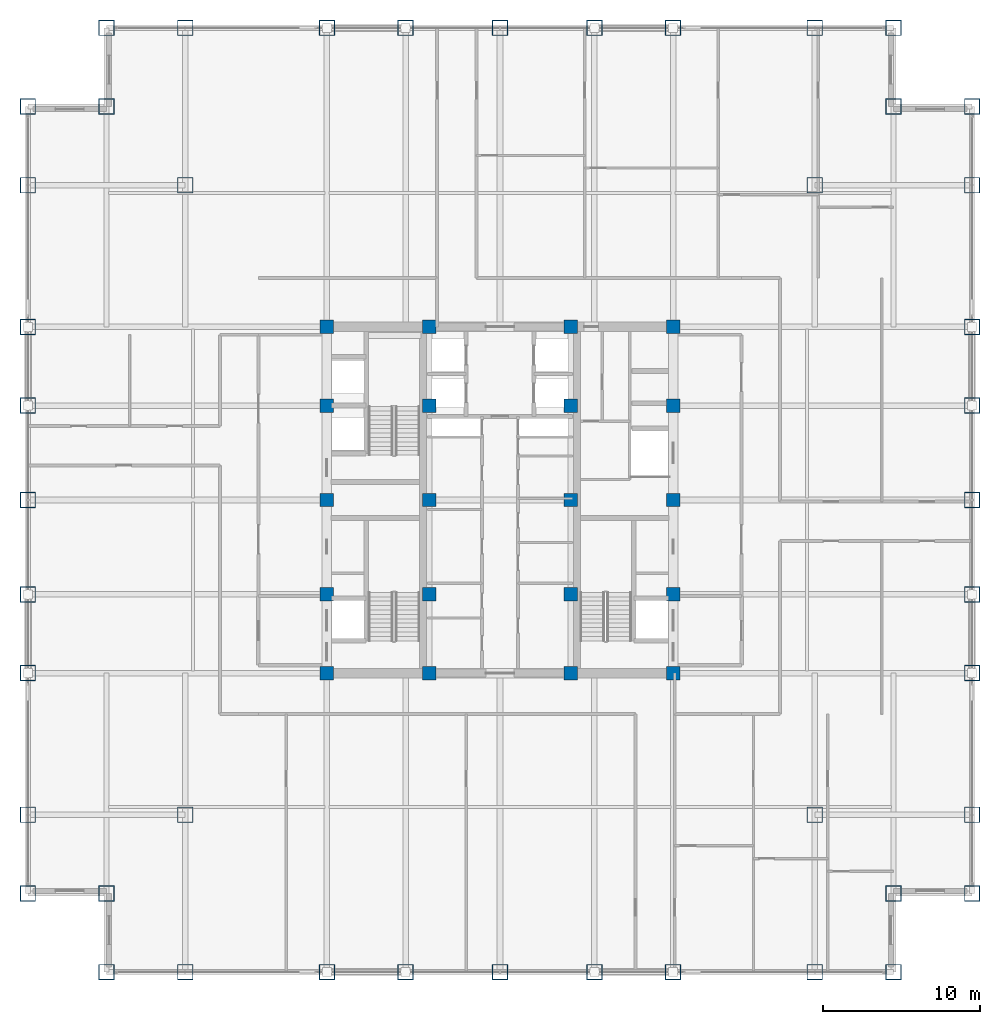
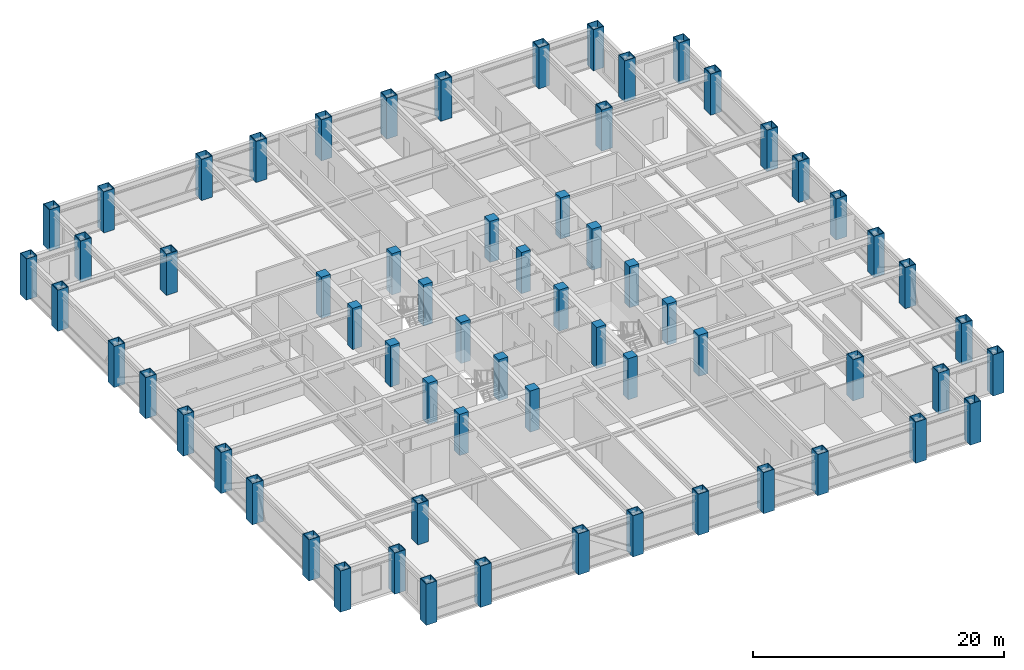
# One storey, part 1 of 25: 64 columns.
"""IFC4 building model written with IfcOpenShell, lengths in metres."""

from ifc_helpers import new_model, si_unit, direction, frame, origin, origin_2d, place, context, subcontext, project, spatial, rectangle, hollow_rectangle, extrude, source, transform, mapped, material, material_profile, profile_set, type_object, element, save


model = new_model("IFC4")

# Units and contexts
model_context = context("Model", 3, precision=1e-05, world=origin(), true_north=direction((0.0, 1.0)))
body_context = subcontext(model_context, "Body", "Model", "MODEL_VIEW")
ifc_project = project(units=[si_unit("LENGTHUNIT", "METRE"), si_unit("AREAUNIT", "SQUARE_METRE"), si_unit("VOLUMEUNIT", "CUBIC_METRE"), si_unit("PLANEANGLEUNIT", "RADIAN"), si_unit("MASSUNIT", "GRAM", prefix="KILO")], contexts=[model_context])

# Site, building, storey
site_placement = place(None, origin())
site = spatial("IfcSite", under=ifc_project, at=site_placement, CompositionType="ELEMENT")
building_placement = place(site_placement, origin())
building = spatial("IfcBuilding", under=site, at=building_placement, Name="Khorayat Bourse Tower", CompositionType="ELEMENT")
storey_placement = place(building_placement, frame((0.0, 0.0, 255.10009765625)))
storey = spatial("IfcBuildingStorey", under=building, at=storey_placement, Name="L60", CompositionType="ELEMENT", Elevation=255.10009765625)

# Columns
ifc_material_1 = material(Name="Concrete C60/75", Category="concrete")
ifc_material_profile_1 = material_profile(ifc_material_1, rectangle(XDim=0.85009765625, YDim=0.85009765625, at=origin_2d()), Name="RC 850x850")
ifc_profile_set_1 = profile_set([ifc_material_profile_1], Name="Concrete C60/75")
column_type_1 = type_object("IfcColumnType", Name="COL-CORE-850", PredefinedType="COLUMN", material=ifc_profile_set_1)
shared_shape_1 = source(origin(), body_context, "Body", "SweptSolid", [
    extrude(rectangle(XDim=0.85009765625, YDim=0.85009765625, at=origin_2d()), origin(), (0.0, 0.0, 1.0), 4.0),
])
for number, where, z_axis, x_axis, name in (
    (1, (-11.0, -11.0, 0.0), (0.0, 0.0, 1.0), (1.0, 0.0, 0.0), "L60 Column 019"),
    (2, (-11.0, -6.0, 0.0), (0.0, 0.0, 1.0), (1.0, 0.0, 0.0), "L60 Column 020"),
    (3, (-11.0, 0.0, 0.0), (0.0, 0.0, 1.0), (1.0, 0.0, 0.0), "L60 Column 021"),
    (4, (-11.0, 6.0, 0.0), (0.0, 0.0, 1.0), (1.0, 0.0, 0.0), "L60 Column 022"),
    (5, (-11.0, 11.0, 0.0), (0.0, 0.0, 1.0), (1.0, 0.0, 0.0), "L60 Column 023"),
    (6, (-4.5, -11.0, 0.0), (0.0, 0.0, 1.0), (1.0, 0.0, 0.0), "L60 Column 027"),
    (7, (-4.5, -6.0, 0.0), (0.0, 0.0, 1.0), (1.0, 0.0, 0.0), "L60 Column 028"),
    (8, (-4.5, 0.0, 0.0), (0.0, 0.0, 1.0), (1.0, 0.0, 0.0), "L60 Column 029"),
    (9, (-4.5, 6.0, 0.0), (0.0, 0.0, 1.0), (1.0, 0.0, 0.0), "L60 Column 030"),
    (10, (-4.5, 11.0, 0.0), (0.0, 0.0, 1.0), (1.0, 0.0, 0.0), "L60 Column 031"),
    (11, (4.5, -11.0, 0.0), (0.0, 0.0, 1.0), (1.0, 0.0, 0.0), "L60 Column 034"),
    (12, (4.5, -6.0, 0.0), (0.0, 0.0, 1.0), (1.0, 0.0, 0.0), "L60 Column 035"),
    (13, (4.5, 0.0, 0.0), (0.0, 0.0, 1.0), (1.0, 0.0, 0.0), "L60 Column 036"),
    (14, (4.5, 6.0, 0.0), (0.0, 0.0, 1.0), (1.0, 0.0, 0.0), "L60 Column 037"),
    (15, (4.5, 11.0, 0.0), (0.0, 0.0, 1.0), (1.0, 0.0, 0.0), "L60 Column 038"),
    (16, (11.0, -11.0, 0.0), (0.0, 0.0, 1.0), (1.0, 0.0, 0.0), "L60 Column 042"),
    (17, (11.0, -6.0, 0.0), (0.0, 0.0, 1.0), (1.0, 0.0, 0.0), "L60 Column 043"),
    (18, (11.0, 0.0, 0.0), (0.0, 0.0, 1.0), (1.0, 0.0, 0.0), "L60 Column 044"),
    (19, (11.0, 6.0, 0.0), (0.0, 0.0, 1.0), (1.0, 0.0, 0.0), "L60 Column 045"),
    (20, (11.0, 11.0, 0.0), (0.0, 0.0, 1.0), (1.0, 0.0, 0.0), "L60 Column 046"),
):
    element("IfcColumn", number, at=place(storey_placement, frame(where, z_axis=z_axis, x_axis=x_axis)), inside=storey, type_object=column_type_1, Name=name, PredefinedType="COLUMN", context=body_context, shape_type="MappedRepresentation", body=[
        mapped(shared_shape_1, transform((0.0, 0.0, 0.0), scale=1.0)),
    ])
ifc_material_2 = material(Name="Steel EN 10025-4 S460M", Category="steel")
ifc_material_profile_2 = material_profile(ifc_material_2, hollow_rectangle(XDim=1.0, YDim=1.0, WallThickness=0.054931640625, at=origin_2d()), Name="BOX 1000x1000x55")
ifc_profile_set_2 = profile_set([ifc_material_profile_2], Name="Steel EN 10025-4 S460M")
column_type_2 = type_object("IfcColumnType", Name="COL-TUBE-1000", PredefinedType="COLUMN", material=ifc_profile_set_2)
shared_shape_2 = source(origin(), body_context, "Body", "SweptSolid", [
    extrude(hollow_rectangle(XDim=1.0, YDim=1.0, WallThickness=0.054931640625, at=origin_2d()), origin(), (0.0, 0.0, 1.0), 4.0),
])
for number, where, z_axis, x_axis, name in (
    (21, (-30.0, -25.0, 0.0), (0.0, 0.0, 1.0), (1.0, 0.0, 0.0), "L60 Column 001"),
    (22, (-30.0, -20.0, 0.0), (0.0, 0.0, 1.0), (1.0, 0.0, 0.0), "L60 Column 002"),
    (23, (-30.0, -11.0, 0.0), (0.0, 0.0, 1.0), (1.0, 0.0, 0.0), "L60 Column 003"),
    (24, (-30.0, -6.0, 0.0), (0.0, 0.0, 1.0), (1.0, 0.0, 0.0), "L60 Column 004"),
    (25, (-30.0, 0.0, 0.0), (0.0, 0.0, 1.0), (1.0, 0.0, 0.0), "L60 Column 005"),
    (26, (-30.0, 6.0, 0.0), (0.0, 0.0, 1.0), (1.0, 0.0, 0.0), "L60 Column 006"),
    (27, (-30.0, 11.0, 0.0), (0.0, 0.0, 1.0), (1.0, 0.0, 0.0), "L60 Column 007"),
    (28, (-30.0, 20.0, 0.0), (0.0, 0.0, 1.0), (1.0, 0.0, 0.0), "L60 Column 008"),
    (29, (-30.0, 25.0, 0.0), (0.0, 0.0, 1.0), (1.0, 0.0, 0.0), "L60 Column 009"),
    (30, (-25.0, -30.0, 0.0), (0.0, 0.0, 1.0), (1.0, 0.0, 0.0), "L60 Column 010"),
    (31, (-25.0, -25.0, 0.0), (0.0, 0.0, 1.0), (1.0, 0.0, 0.0), "L60 Column 011"),
    (32, (-25.0, 25.0, 0.0), (0.0, 0.0, 1.0), (1.0, 0.0, 0.0), "L60 Column 012"),
    (33, (-25.0, 30.0, 0.0), (0.0, 0.0, 1.0), (1.0, 0.0, 0.0), "L60 Column 013"),
    (34, (-20.0, -30.0, 0.0), (0.0, 0.0, 1.0), (1.0, 0.0, 0.0), "L60 Column 014"),
    (35, (-20.0, -20.0, 0.0), (0.0, 0.0, 1.0), (1.0, 0.0, 0.0), "L60 Column 015"),
    (36, (-20.0, 20.0, 0.0), (0.0, 0.0, 1.0), (1.0, 0.0, 0.0), "L60 Column 016"),
    (37, (-20.0, 30.0, 0.0), (0.0, 0.0, 1.0), (1.0, 0.0, 0.0), "L60 Column 017"),
    (38, (-11.0, -30.0, 0.0), (0.0, 0.0, 1.0), (1.0, 0.0, 0.0), "L60 Column 018"),
    (39, (-11.0, 30.0, 0.0), (0.0, 0.0, 1.0), (1.0, 0.0, 0.0), "L60 Column 024"),
    (40, (-6.0, -30.0, 0.0), (0.0, 0.0, 1.0), (1.0, 0.0, 0.0), "L60 Column 025"),
    (41, (-6.0, 30.0, 0.0), (0.0, 0.0, 1.0), (1.0, 0.0, 0.0), "L60 Column 026"),
    (42, (0.0, -30.0, 0.0), (0.0, 0.0, 1.0), (1.0, 0.0, 0.0), "L60 Column 032"),
    (43, (0.0, 30.0, 0.0), (0.0, 0.0, 1.0), (1.0, 0.0, 0.0), "L60 Column 033"),
    (44, (6.0, -30.0, 0.0), (0.0, 0.0, 1.0), (1.0, 0.0, 0.0), "L60 Column 039"),
    (45, (6.0, 30.0, 0.0), (0.0, 0.0, 1.0), (1.0, 0.0, 0.0), "L60 Column 040"),
    (46, (11.0, -30.0, 0.0), (0.0, 0.0, 1.0), (1.0, 0.0, 0.0), "L60 Column 041"),
    (47, (11.0, 30.0, 0.0), (0.0, 0.0, 1.0), (1.0, 0.0, 0.0), "L60 Column 047"),
    (48, (20.0, -30.0, 0.0), (0.0, 0.0, 1.0), (1.0, 0.0, 0.0), "L60 Column 048"),
    (49, (20.0, -20.0, 0.0), (0.0, 0.0, 1.0), (1.0, 0.0, 0.0), "L60 Column 049"),
    (50, (20.0, 20.0, 0.0), (0.0, 0.0, 1.0), (1.0, 0.0, 0.0), "L60 Column 050"),
    (51, (20.0, 30.0, 0.0), (0.0, 0.0, 1.0), (1.0, 0.0, 0.0), "L60 Column 051"),
    (52, (25.0, -30.0, 0.0), (0.0, 0.0, 1.0), (1.0, 0.0, 0.0), "L60 Column 052"),
    (53, (25.0, -25.0, 0.0), (0.0, 0.0, 1.0), (1.0, 0.0, 0.0), "L60 Column 053"),
    (54, (25.0, 25.0, 0.0), (0.0, 0.0, 1.0), (1.0, 0.0, 0.0), "L60 Column 054"),
    (55, (25.0, 30.0, 0.0), (0.0, 0.0, 1.0), (1.0, 0.0, 0.0), "L60 Column 055"),
    (56, (30.0, -25.0, 0.0), (0.0, 0.0, 1.0), (1.0, 0.0, 0.0), "L60 Column 056"),
    (57, (30.0, -20.0, 0.0), (0.0, 0.0, 1.0), (1.0, 0.0, 0.0), "L60 Column 057"),
    (58, (30.0, -11.0, 0.0), (0.0, 0.0, 1.0), (1.0, 0.0, 0.0), "L60 Column 058"),
    (59, (30.0, -6.0, 0.0), (0.0, 0.0, 1.0), (1.0, 0.0, 0.0), "L60 Column 059"),
    (60, (30.0, 0.0, 0.0), (0.0, 0.0, 1.0), (1.0, 0.0, 0.0), "L60 Column 060"),
    (61, (30.0, 6.0, 0.0), (0.0, 0.0, 1.0), (1.0, 0.0, 0.0), "L60 Column 061"),
    (62, (30.0, 11.0, 0.0), (0.0, 0.0, 1.0), (1.0, 0.0, 0.0), "L60 Column 062"),
    (63, (30.0, 20.0, 0.0), (0.0, 0.0, 1.0), (1.0, 0.0, 0.0), "L60 Column 063"),
    (64, (30.0, 25.0, 0.0), (0.0, 0.0, 1.0), (1.0, 0.0, 0.0), "L60 Column 064"),
):
    element("IfcColumn", number, at=place(storey_placement, frame(where, z_axis=z_axis, x_axis=x_axis)), inside=storey, type_object=column_type_2, Name=name, PredefinedType="COLUMN", context=body_context, shape_type="MappedRepresentation", body=[
        mapped(shared_shape_2, transform((0.0, 0.0, 0.0), scale=1.0)),
    ])

save(model, "model.ifc")
